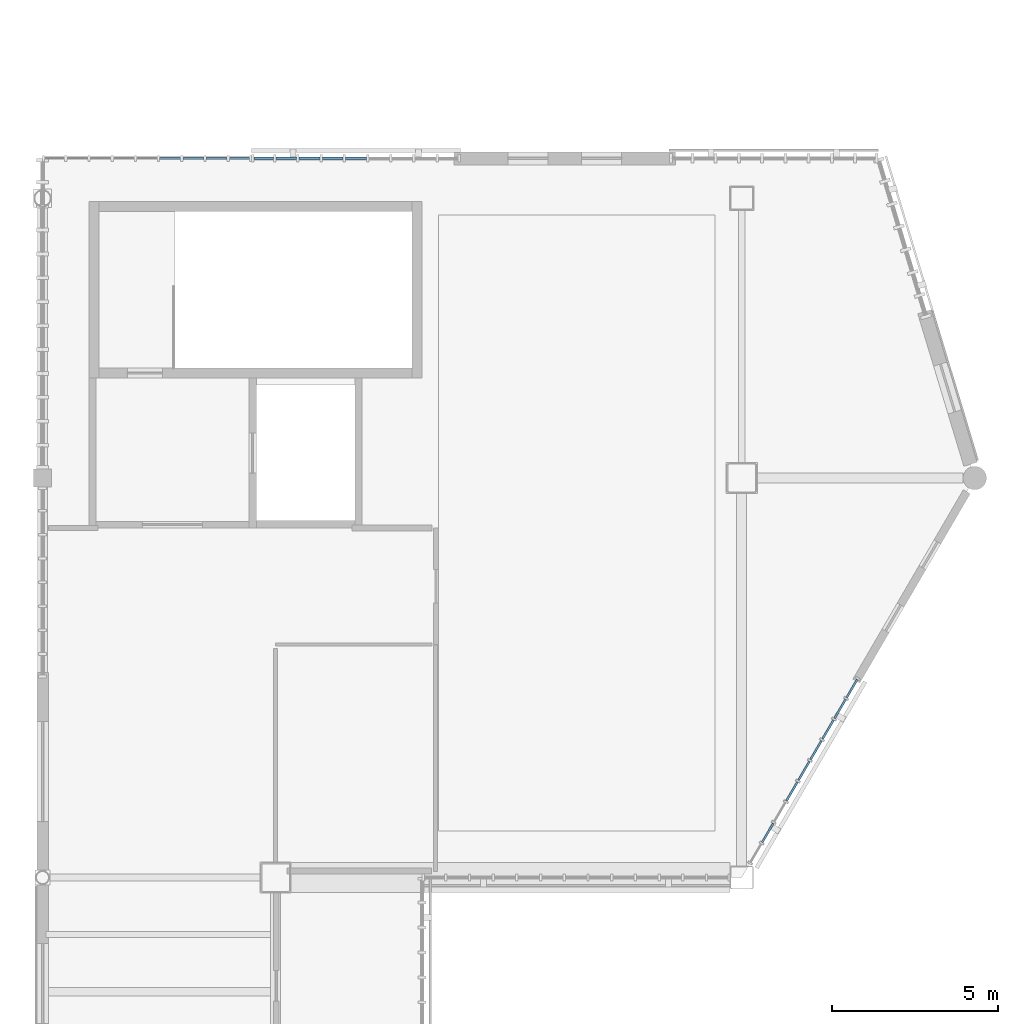
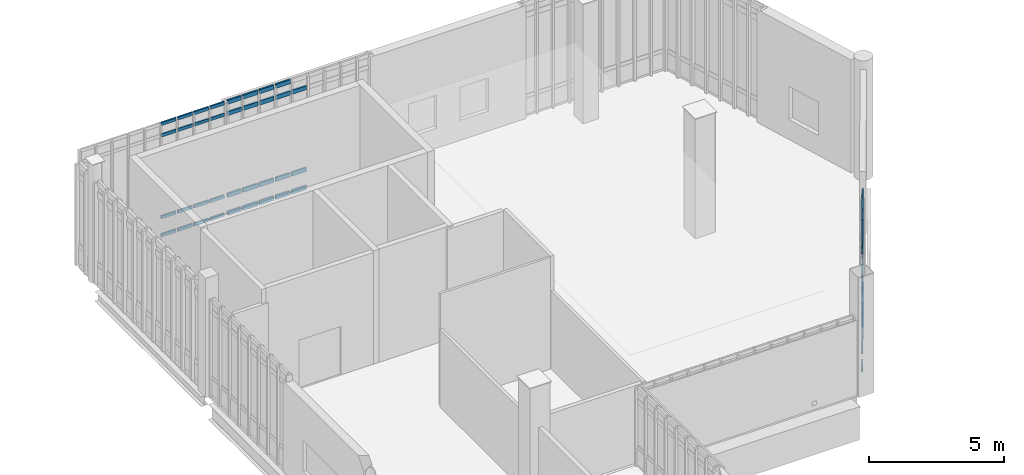
# One storey, part 68 of 135: 63 members, 3 elements without a shape of their own.
"""IFC4 building model written with IfcOpenShell, lengths in metres."""

from ifc_helpers import new_model, si_unit, direction, frame, origin, origin_2d, place, context, subcontext, project, spatial, rectangle, extrude, material, material_profile, profile_set, type_object, element, aggregate, save


model = new_model("IFC4")

# Units and contexts
model_context = context("Model", 3, precision=1e-05, world=origin(), true_north=direction((0.0, 1.0)))
body_context = subcontext(model_context, "Body", "Model", "MODEL_VIEW")
ifc_project = project(units=[si_unit("LENGTHUNIT", "METRE"), si_unit("AREAUNIT", "SQUARE_METRE"), si_unit("VOLUMEUNIT", "CUBIC_METRE"), si_unit("PLANEANGLEUNIT", "RADIAN"), si_unit("MASSUNIT", "GRAM", prefix="KILO")], contexts=[model_context])

# Site, building, storey
site_placement = place(None, origin())
site = spatial("IfcSite", under=ifc_project, at=site_placement, CompositionType="ELEMENT")
building_placement = place(site_placement, origin())
building = spatial("IfcBuilding", under=site, at=building_placement, Name="Larkvane Passage Sports Hall", CompositionType="ELEMENT")
storey_placement = place(building_placement, frame((0.0, 0.0, 16.800048828125)))
storey = spatial("IfcBuildingStorey", under=building, at=storey_placement, Name="L03", CompositionType="ELEMENT", Elevation=16.800048828125)

# Curtain wall, members
ifc_material_1 = material(Name="Thermally broken aluminium and low-E glazing", Category="aluminium")
curtain_wall_type_1 = type_object("IfcCurtainWallType", Name="CW-UNIT-COURT", PredefinedType="USERDEFINED", material=ifc_material_1)
curtain_wall_1_placement = place(storey_placement, origin())
curtain_wall_1 = element("IfcCurtainWall", 1, at=curtain_wall_1_placement, inside=storey, type_object=curtain_wall_type_1, Name="Curtain wall CW5-L03-108", ObjectType="UNITISED CURTAIN WALL", PredefinedType="USERDEFINED")
ifc_material_2 = material(Name="Anodised aluminium 6063-T6", Category="aluminium")
ifc_material_profile_1 = material_profile(ifc_material_2, rectangle(XDim=0.06005859375, YDim=0.1201171875, at=origin_2d()), Name="ALU-TRN-60x120")
ifc_profile_set_1 = profile_set([ifc_material_profile_1], Name="Anodised aluminium 6063-T6")
member_type_1 = type_object("IfcMemberType", Name="CW-TRN-60x120", PredefinedType="USERDEFINED", material=ifc_profile_set_1)
member_1_placement = place(storey_placement, frame((149.06982421875, 69.548095703125, 0.030029296875), z_axis=(-0.504184716342, -0.86359583823, 0.0), x_axis=(0.86359583823, -0.504184716342, 0.0)))
member_1 = element("IfcMember", 2, at=member_1_placement, type_object=member_type_1, Name="CW-01 transom 1.1", ObjectType="TRANSOM", PredefinedType="USERDEFINED", context=body_context, shape_type="SweptSolid", body=[
    extrude(rectangle(XDim=0.06005859375, YDim=0.1201171875, at=origin_2d()), origin(), (0.0, 0.0, 1.0), 0.62890625),
])
member_2_placement = place(storey_placement, frame((149.06982421875, 69.548095703125, 0.849853515625), z_axis=(-0.504184716342, -0.86359583823, 0.0), x_axis=(0.86359583823, -0.504184716342, 0.0)))
member_2 = element("IfcMember", 3, at=member_2_placement, type_object=member_type_1, Name="CW-01 transom 1.2", ObjectType="TRANSOM", PredefinedType="USERDEFINED", context=body_context, shape_type="SweptSolid", body=[
    extrude(rectangle(XDim=0.06005859375, YDim=0.1201171875, at=origin_2d()), origin(), (0.0, 0.0, 1.0), 0.62890625),
])
member_3_placement = place(storey_placement, frame((149.06982421875, 69.548095703125, 3.758056640625), z_axis=(-0.504184716342, -0.86359583823, 0.0), x_axis=(0.86359583823, -0.504184716342, 0.0)))
member_3 = element("IfcMember", 4, at=member_3_placement, type_object=member_type_1, Name="CW-01 transom 1.3", ObjectType="TRANSOM", PredefinedType="USERDEFINED", context=body_context, shape_type="SweptSolid", body=[
    extrude(rectangle(XDim=0.06005859375, YDim=0.1201171875, at=origin_2d()), origin(), (0.0, 0.0, 1.0), 0.62890625),
])
member_4_placement = place(storey_placement, frame((149.06982421875, 69.548095703125, 4.27783203125), z_axis=(-0.504184716342, -0.86359583823, 0.0), x_axis=(0.86359583823, -0.504184716342, 0.0)))
member_4 = element("IfcMember", 5, at=member_4_placement, type_object=member_type_1, Name="CW-01 transom 1.4", ObjectType="TRANSOM", PredefinedType="USERDEFINED", context=body_context, shape_type="SweptSolid", body=[
    extrude(rectangle(XDim=0.06005859375, YDim=0.1201171875, at=origin_2d()), origin(), (0.0, 0.0, 1.0), 0.62890625),
])
member_5_placement = place(storey_placement, frame((148.72265625, 68.952880859375, 0.030029296875), z_axis=(-0.504216505959, -0.863577278024, 0.0), x_axis=(0.863577278024, -0.504216505959, 0.0)))
member_5 = element("IfcMember", 6, at=member_5_placement, type_object=member_type_1, Name="CW-01 transom 2.1", ObjectType="TRANSOM", PredefinedType="USERDEFINED", context=body_context, shape_type="SweptSolid", body=[
    extrude(rectangle(XDim=0.06005859375, YDim=0.1201171875, at=origin_2d()), origin(), (0.0, 0.0, 1.0), 0.658935546875),
])
member_6_placement = place(storey_placement, frame((148.72265625, 68.952880859375, 0.849853515625), z_axis=(-0.504216505959, -0.863577278024, 0.0), x_axis=(0.863577278024, -0.504216505959, 0.0)))
member_6 = element("IfcMember", 7, at=member_6_placement, type_object=member_type_1, Name="CW-01 transom 2.2", ObjectType="TRANSOM", PredefinedType="USERDEFINED", context=body_context, shape_type="SweptSolid", body=[
    extrude(rectangle(XDim=0.06005859375, YDim=0.1201171875, at=origin_2d()), origin(), (0.0, 0.0, 1.0), 0.658935546875),
])
member_7_placement = place(storey_placement, frame((148.72265625, 68.952880859375, 3.758056640625), z_axis=(-0.504216505959, -0.863577278024, 0.0), x_axis=(0.863577278024, -0.504216505959, 0.0)))
member_7 = element("IfcMember", 8, at=member_7_placement, type_object=member_type_1, Name="CW-01 transom 2.3", ObjectType="TRANSOM", PredefinedType="USERDEFINED", context=body_context, shape_type="SweptSolid", body=[
    extrude(rectangle(XDim=0.06005859375, YDim=0.1201171875, at=origin_2d()), origin(), (0.0, 0.0, 1.0), 0.658935546875),
])
member_8_placement = place(storey_placement, frame((148.72265625, 68.952880859375, 4.27783203125), z_axis=(-0.504216505959, -0.863577278024, 0.0), x_axis=(0.863577278024, -0.504216505959, 0.0)))
member_8 = element("IfcMember", 9, at=member_8_placement, type_object=member_type_1, Name="CW-01 transom 2.4", ObjectType="TRANSOM", PredefinedType="USERDEFINED", context=body_context, shape_type="SweptSolid", body=[
    extrude(rectangle(XDim=0.06005859375, YDim=0.1201171875, at=origin_2d()), origin(), (0.0, 0.0, 1.0), 0.658935546875),
])
member_9_placement = place(storey_placement, frame((148.3603515625, 68.331787109375, 0.030029296875), z_axis=(-0.504216505959, -0.863577278024, 0.0), x_axis=(0.863577278024, -0.504216505959, 0.0)))
member_9 = element("IfcMember", 10, at=member_9_placement, type_object=member_type_1, Name="CW-01 transom 3.1", ObjectType="TRANSOM", PredefinedType="USERDEFINED", context=body_context, shape_type="SweptSolid", body=[
    extrude(rectangle(XDim=0.06005859375, YDim=0.1201171875, at=origin_2d()), origin(), (0.0, 0.0, 1.0), 0.658935546875),
])
member_10_placement = place(storey_placement, frame((148.3603515625, 68.331787109375, 0.849853515625), z_axis=(-0.504216505959, -0.863577278024, 0.0), x_axis=(0.863577278024, -0.504216505959, 0.0)))
member_10 = element("IfcMember", 11, at=member_10_placement, type_object=member_type_1, Name="CW-01 transom 3.2", ObjectType="TRANSOM", PredefinedType="USERDEFINED", context=body_context, shape_type="SweptSolid", body=[
    extrude(rectangle(XDim=0.06005859375, YDim=0.1201171875, at=origin_2d()), origin(), (0.0, 0.0, 1.0), 0.658935546875),
])
member_11_placement = place(storey_placement, frame((148.3603515625, 68.331787109375, 3.758056640625), z_axis=(-0.504216505959, -0.863577278024, 0.0), x_axis=(0.863577278024, -0.504216505959, 0.0)))
member_11 = element("IfcMember", 12, at=member_11_placement, type_object=member_type_1, Name="CW-01 transom 3.3", ObjectType="TRANSOM", PredefinedType="USERDEFINED", context=body_context, shape_type="SweptSolid", body=[
    extrude(rectangle(XDim=0.06005859375, YDim=0.1201171875, at=origin_2d()), origin(), (0.0, 0.0, 1.0), 0.658935546875),
])
member_12_placement = place(storey_placement, frame((148.3603515625, 68.331787109375, 4.27783203125), z_axis=(-0.504216505959, -0.863577278024, 0.0), x_axis=(0.863577278024, -0.504216505959, 0.0)))
member_12 = element("IfcMember", 13, at=member_12_placement, type_object=member_type_1, Name="CW-01 transom 3.4", ObjectType="TRANSOM", PredefinedType="USERDEFINED", context=body_context, shape_type="SweptSolid", body=[
    extrude(rectangle(XDim=0.06005859375, YDim=0.1201171875, at=origin_2d()), origin(), (0.0, 0.0, 1.0), 0.658935546875),
])
member_13_placement = place(storey_placement, frame((147.998046875, 67.710693359375, 0.030029296875), z_axis=(-0.504055232855, -0.863671420293, 0.0), x_axis=(0.863671420293, -0.504055232855, 0.0)))
member_13 = element("IfcMember", 14, at=member_13_placement, type_object=member_type_1, Name="CW-01 transom 4.1", ObjectType="TRANSOM", PredefinedType="USERDEFINED", context=body_context, shape_type="SweptSolid", body=[
    extrude(rectangle(XDim=0.06005859375, YDim=0.1201171875, at=origin_2d()), origin(), (0.0, 0.0, 1.0), 0.6591796875),
])
member_14_placement = place(storey_placement, frame((147.998046875, 67.710693359375, 0.849853515625), z_axis=(-0.504055232855, -0.863671420293, 0.0), x_axis=(0.863671420293, -0.504055232855, 0.0)))
member_14 = element("IfcMember", 15, at=member_14_placement, type_object=member_type_1, Name="CW-01 transom 4.2", ObjectType="TRANSOM", PredefinedType="USERDEFINED", context=body_context, shape_type="SweptSolid", body=[
    extrude(rectangle(XDim=0.06005859375, YDim=0.1201171875, at=origin_2d()), origin(), (0.0, 0.0, 1.0), 0.6591796875),
])
member_15_placement = place(storey_placement, frame((147.998046875, 67.710693359375, 3.758056640625), z_axis=(-0.504055232855, -0.863671420293, 0.0), x_axis=(0.863671420293, -0.504055232855, 0.0)))
member_15 = element("IfcMember", 16, at=member_15_placement, type_object=member_type_1, Name="CW-01 transom 4.3", ObjectType="TRANSOM", PredefinedType="USERDEFINED", context=body_context, shape_type="SweptSolid", body=[
    extrude(rectangle(XDim=0.06005859375, YDim=0.1201171875, at=origin_2d()), origin(), (0.0, 0.0, 1.0), 0.6591796875),
])
member_16_placement = place(storey_placement, frame((147.998046875, 67.710693359375, 4.27783203125), z_axis=(-0.504055232855, -0.863671420293, 0.0), x_axis=(0.863671420293, -0.504055232855, 0.0)))
member_16 = element("IfcMember", 17, at=member_16_placement, type_object=member_type_1, Name="CW-01 transom 4.4", ObjectType="TRANSOM", PredefinedType="USERDEFINED", context=body_context, shape_type="SweptSolid", body=[
    extrude(rectangle(XDim=0.06005859375, YDim=0.1201171875, at=origin_2d()), origin(), (0.0, 0.0, 1.0), 0.6591796875),
])
member_17_placement = place(storey_placement, frame((147.6357421875, 67.089599609375, 0.030029296875), z_axis=(-0.504055232855, -0.863671420293, 0.0), x_axis=(0.863671420293, -0.504055232855, 0.0)))
member_17 = element("IfcMember", 18, at=member_17_placement, type_object=member_type_1, Name="CW-01 transom 5.1", ObjectType="TRANSOM", PredefinedType="USERDEFINED", context=body_context, shape_type="SweptSolid", body=[
    extrude(rectangle(XDim=0.06005859375, YDim=0.1201171875, at=origin_2d()), origin(), (0.0, 0.0, 1.0), 0.6591796875),
])
member_18_placement = place(storey_placement, frame((147.6357421875, 67.089599609375, 0.849853515625), z_axis=(-0.504055232855, -0.863671420293, 0.0), x_axis=(0.863671420293, -0.504055232855, 0.0)))
member_18 = element("IfcMember", 19, at=member_18_placement, type_object=member_type_1, Name="CW-01 transom 5.2", ObjectType="TRANSOM", PredefinedType="USERDEFINED", context=body_context, shape_type="SweptSolid", body=[
    extrude(rectangle(XDim=0.06005859375, YDim=0.1201171875, at=origin_2d()), origin(), (0.0, 0.0, 1.0), 0.6591796875),
])
member_19_placement = place(storey_placement, frame((147.6357421875, 67.089599609375, 3.758056640625), z_axis=(-0.504055232855, -0.863671420293, 0.0), x_axis=(0.863671420293, -0.504055232855, 0.0)))
member_19 = element("IfcMember", 20, at=member_19_placement, type_object=member_type_1, Name="CW-01 transom 5.3", ObjectType="TRANSOM", PredefinedType="USERDEFINED", context=body_context, shape_type="SweptSolid", body=[
    extrude(rectangle(XDim=0.06005859375, YDim=0.1201171875, at=origin_2d()), origin(), (0.0, 0.0, 1.0), 0.6591796875),
])
member_20_placement = place(storey_placement, frame((147.6357421875, 67.089599609375, 4.27783203125), z_axis=(-0.504055232855, -0.863671420293, 0.0), x_axis=(0.863671420293, -0.504055232855, 0.0)))
member_20 = element("IfcMember", 21, at=member_20_placement, type_object=member_type_1, Name="CW-01 transom 5.4", ObjectType="TRANSOM", PredefinedType="USERDEFINED", context=body_context, shape_type="SweptSolid", body=[
    extrude(rectangle(XDim=0.06005859375, YDim=0.1201171875, at=origin_2d()), origin(), (0.0, 0.0, 1.0), 0.6591796875),
])
member_21_placement = place(storey_placement, frame((147.2734375, 66.468505859375, 0.030029296875), z_axis=(-0.504055232855, -0.863671420293, 0.0), x_axis=(0.863671420293, -0.504055232855, 0.0)))
member_21 = element("IfcMember", 22, at=member_21_placement, type_object=member_type_1, Name="CW-01 transom 6.1", ObjectType="TRANSOM", PredefinedType="USERDEFINED", context=body_context, shape_type="SweptSolid", body=[
    extrude(rectangle(XDim=0.06005859375, YDim=0.1201171875, at=origin_2d()), origin(), (0.0, 0.0, 1.0), 0.6591796875),
])
member_22_placement = place(storey_placement, frame((147.2734375, 66.468505859375, 0.849853515625), z_axis=(-0.504055232855, -0.863671420293, 0.0), x_axis=(0.863671420293, -0.504055232855, 0.0)))
member_22 = element("IfcMember", 23, at=member_22_placement, type_object=member_type_1, Name="CW-01 transom 6.2", ObjectType="TRANSOM", PredefinedType="USERDEFINED", context=body_context, shape_type="SweptSolid", body=[
    extrude(rectangle(XDim=0.06005859375, YDim=0.1201171875, at=origin_2d()), origin(), (0.0, 0.0, 1.0), 0.6591796875),
])
member_23_placement = place(storey_placement, frame((147.2734375, 66.468505859375, 3.758056640625), z_axis=(-0.504055232855, -0.863671420293, 0.0), x_axis=(0.863671420293, -0.504055232855, 0.0)))
member_23 = element("IfcMember", 24, at=member_23_placement, type_object=member_type_1, Name="CW-01 transom 6.3", ObjectType="TRANSOM", PredefinedType="USERDEFINED", context=body_context, shape_type="SweptSolid", body=[
    extrude(rectangle(XDim=0.06005859375, YDim=0.1201171875, at=origin_2d()), origin(), (0.0, 0.0, 1.0), 0.6591796875),
])
member_24_placement = place(storey_placement, frame((147.2734375, 66.468505859375, 4.27783203125), z_axis=(-0.504055232855, -0.863671420293, 0.0), x_axis=(0.863671420293, -0.504055232855, 0.0)))
member_24 = element("IfcMember", 25, at=member_24_placement, type_object=member_type_1, Name="CW-01 transom 6.4", ObjectType="TRANSOM", PredefinedType="USERDEFINED", context=body_context, shape_type="SweptSolid", body=[
    extrude(rectangle(XDim=0.06005859375, YDim=0.1201171875, at=origin_2d()), origin(), (0.0, 0.0, 1.0), 0.6591796875),
])
member_25_placement = place(storey_placement, frame((146.548828125, 65.226318359375, 0.030029296875), z_axis=(-0.504055232855, -0.863671420293, 0.0), x_axis=(0.863671420293, -0.504055232855, 0.0)))
member_25 = element("IfcMember", 26, at=member_25_placement, type_object=member_type_1, Name="CW-01 transom 8.1", ObjectType="TRANSOM", PredefinedType="USERDEFINED", context=body_context, shape_type="SweptSolid", body=[
    extrude(rectangle(XDim=0.06005859375, YDim=0.1201171875, at=origin_2d()), origin(), (0.0, 0.0, 1.0), 0.6591796875),
])
member_26_placement = place(storey_placement, frame((146.548828125, 65.226318359375, 0.849853515625), z_axis=(-0.504055232855, -0.863671420293, 0.0), x_axis=(0.863671420293, -0.504055232855, 0.0)))
member_26 = element("IfcMember", 27, at=member_26_placement, type_object=member_type_1, Name="CW-01 transom 8.2", ObjectType="TRANSOM", PredefinedType="USERDEFINED", context=body_context, shape_type="SweptSolid", body=[
    extrude(rectangle(XDim=0.06005859375, YDim=0.1201171875, at=origin_2d()), origin(), (0.0, 0.0, 1.0), 0.6591796875),
])
member_27_placement = place(storey_placement, frame((146.548828125, 65.226318359375, 3.758056640625), z_axis=(-0.504055232855, -0.863671420293, 0.0), x_axis=(0.863671420293, -0.504055232855, 0.0)))
member_27 = element("IfcMember", 28, at=member_27_placement, type_object=member_type_1, Name="CW-01 transom 8.3", ObjectType="TRANSOM", PredefinedType="USERDEFINED", context=body_context, shape_type="SweptSolid", body=[
    extrude(rectangle(XDim=0.06005859375, YDim=0.1201171875, at=origin_2d()), origin(), (0.0, 0.0, 1.0), 0.6591796875),
])
member_28_placement = place(storey_placement, frame((146.548828125, 65.226318359375, 4.27783203125), z_axis=(-0.504055232855, -0.863671420293, 0.0), x_axis=(0.863671420293, -0.504055232855, 0.0)))
member_28 = element("IfcMember", 29, at=member_28_placement, type_object=member_type_1, Name="CW-01 transom 8.4", ObjectType="TRANSOM", PredefinedType="USERDEFINED", context=body_context, shape_type="SweptSolid", body=[
    extrude(rectangle(XDim=0.06005859375, YDim=0.1201171875, at=origin_2d()), origin(), (0.0, 0.0, 1.0), 0.6591796875),
])
aggregate(curtain_wall_1, [member_1, member_2, member_3, member_4, member_5, member_6, member_7, member_8, member_9, member_10, member_11, member_12, member_13, member_14, member_15, member_16, member_17, member_18, member_19, member_20, member_21, member_22, member_23, member_24, member_25, member_26, member_27, member_28])

curtain_wall_2_placement = place(storey_placement, origin())
curtain_wall_2 = element("IfcCurtainWall", 30, at=curtain_wall_2_placement, inside=storey, type_object=curtain_wall_type_1, Name="Curtain wall CW5-L03-104", ObjectType="UNITISED CURTAIN WALL", PredefinedType="USERDEFINED")
ifc_material_profile_2 = material_profile(ifc_material_2, rectangle(XDim=0.06494140625, YDim=0.139892578125, at=origin_2d()), Name="ALU-TRN-65x140")
ifc_profile_set_2 = profile_set([ifc_material_profile_2], Name="Anodised aluminium 6063-T6")
member_type_2 = type_object("IfcMemberType", Name="CW-TRN-65x140", PredefinedType="USERDEFINED", material=ifc_profile_set_2)
member_29_placement = place(storey_placement, frame((128.11865234375, 85.199951171875, 0.032470703125), z_axis=(1.0, 0.0, 0.0), x_axis=(0.0, 1.0, 0.0)))
member_29 = element("IfcMember", 31, at=member_29_placement, type_object=member_type_2, Name="CW-01 transom 6.1", ObjectType="TRANSOM", PredefinedType="USERDEFINED", context=body_context, shape_type="SweptSolid", body=[
    extrude(rectangle(XDim=0.06494140625, YDim=0.139892578125, at=origin_2d()), origin(), (0.0, 0.0, 1.0), 0.632080078125),
])
member_30_placement = place(storey_placement, frame((128.11865234375, 85.199951171875, 0.849853515625), z_axis=(1.0, 0.0, 0.0), x_axis=(0.0, 1.0, 0.0)))
member_30 = element("IfcMember", 32, at=member_30_placement, type_object=member_type_2, Name="CW-01 transom 6.2", ObjectType="TRANSOM", PredefinedType="USERDEFINED", context=body_context, shape_type="SweptSolid", body=[
    extrude(rectangle(XDim=0.06494140625, YDim=0.139892578125, at=origin_2d()), origin(), (0.0, 0.0, 1.0), 0.632080078125),
])
member_31_placement = place(storey_placement, frame((128.11865234375, 85.199951171875, 4.550048828125), z_axis=(1.0, 0.0, 0.0), x_axis=(0.0, 1.0, 0.0)))
member_31 = element("IfcMember", 33, at=member_31_placement, type_object=member_type_2, Name="CW-01 transom 6.3", ObjectType="TRANSOM", PredefinedType="USERDEFINED", context=body_context, shape_type="SweptSolid", body=[
    extrude(rectangle(XDim=0.06494140625, YDim=0.139892578125, at=origin_2d()), origin(), (0.0, 0.0, 1.0), 0.632080078125),
])
member_32_placement = place(storey_placement, frame((128.11865234375, 85.199951171875, 5.0673828125), z_axis=(1.0, 0.0, 0.0), x_axis=(0.0, 1.0, 0.0)))
member_32 = element("IfcMember", 34, at=member_32_placement, type_object=member_type_2, Name="CW-01 transom 6.4", ObjectType="TRANSOM", PredefinedType="USERDEFINED", context=body_context, shape_type="SweptSolid", body=[
    extrude(rectangle(XDim=0.06494140625, YDim=0.139892578125, at=origin_2d()), origin(), (0.0, 0.0, 1.0), 0.632080078125),
])
member_33_placement = place(storey_placement, frame((128.81591796875, 85.199951171875, 0.032470703125), z_axis=(1.0, 0.0, 0.0), x_axis=(0.0, 1.0, 0.0)))
member_33 = element("IfcMember", 35, at=member_33_placement, type_object=member_type_2, Name="CW-01 transom 7.1", ObjectType="TRANSOM", PredefinedType="USERDEFINED", context=body_context, shape_type="SweptSolid", body=[
    extrude(rectangle(XDim=0.06494140625, YDim=0.139892578125, at=origin_2d()), origin(), (0.0, 0.0, 1.0), 0.632080078125),
])
member_34_placement = place(storey_placement, frame((128.81591796875, 85.199951171875, 0.849853515625), z_axis=(1.0, 0.0, 0.0), x_axis=(0.0, 1.0, 0.0)))
member_34 = element("IfcMember", 36, at=member_34_placement, type_object=member_type_2, Name="CW-01 transom 7.2", ObjectType="TRANSOM", PredefinedType="USERDEFINED", context=body_context, shape_type="SweptSolid", body=[
    extrude(rectangle(XDim=0.06494140625, YDim=0.139892578125, at=origin_2d()), origin(), (0.0, 0.0, 1.0), 0.632080078125),
])
member_35_placement = place(storey_placement, frame((128.81591796875, 85.199951171875, 4.550048828125), z_axis=(1.0, 0.0, 0.0), x_axis=(0.0, 1.0, 0.0)))
member_35 = element("IfcMember", 37, at=member_35_placement, type_object=member_type_2, Name="CW-01 transom 7.3", ObjectType="TRANSOM", PredefinedType="USERDEFINED", context=body_context, shape_type="SweptSolid", body=[
    extrude(rectangle(XDim=0.06494140625, YDim=0.139892578125, at=origin_2d()), origin(), (0.0, 0.0, 1.0), 0.632080078125),
])
member_36_placement = place(storey_placement, frame((128.81591796875, 85.199951171875, 5.0673828125), z_axis=(1.0, 0.0, 0.0), x_axis=(0.0, 1.0, 0.0)))
member_36 = element("IfcMember", 38, at=member_36_placement, type_object=member_type_2, Name="CW-01 transom 7.4", ObjectType="TRANSOM", PredefinedType="USERDEFINED", context=body_context, shape_type="SweptSolid", body=[
    extrude(rectangle(XDim=0.06494140625, YDim=0.139892578125, at=origin_2d()), origin(), (0.0, 0.0, 1.0), 0.632080078125),
])
member_37_placement = place(storey_placement, frame((129.512939453125, 85.199951171875, 0.032470703125), z_axis=(1.0, 0.0, 0.0), x_axis=(0.0, 1.0, 0.0)))
member_37 = element("IfcMember", 39, at=member_37_placement, type_object=member_type_2, Name="CW-01 transom 8.1", ObjectType="TRANSOM", PredefinedType="USERDEFINED", context=body_context, shape_type="SweptSolid", body=[
    extrude(rectangle(XDim=0.06494140625, YDim=0.139892578125, at=origin_2d()), origin(), (0.0, 0.0, 1.0), 0.63232421875),
])
member_38_placement = place(storey_placement, frame((129.512939453125, 85.199951171875, 0.849853515625), z_axis=(1.0, 0.0, 0.0), x_axis=(0.0, 1.0, 0.0)))
member_38 = element("IfcMember", 40, at=member_38_placement, type_object=member_type_2, Name="CW-01 transom 8.2", ObjectType="TRANSOM", PredefinedType="USERDEFINED", context=body_context, shape_type="SweptSolid", body=[
    extrude(rectangle(XDim=0.06494140625, YDim=0.139892578125, at=origin_2d()), origin(), (0.0, 0.0, 1.0), 0.63232421875),
])
member_39_placement = place(storey_placement, frame((129.512939453125, 85.199951171875, 4.550048828125), z_axis=(1.0, 0.0, 0.0), x_axis=(0.0, 1.0, 0.0)))
member_39 = element("IfcMember", 41, at=member_39_placement, type_object=member_type_2, Name="CW-01 transom 8.3", ObjectType="TRANSOM", PredefinedType="USERDEFINED", context=body_context, shape_type="SweptSolid", body=[
    extrude(rectangle(XDim=0.06494140625, YDim=0.139892578125, at=origin_2d()), origin(), (0.0, 0.0, 1.0), 0.63232421875),
])
member_40_placement = place(storey_placement, frame((129.512939453125, 85.199951171875, 5.0673828125), z_axis=(1.0, 0.0, 0.0), x_axis=(0.0, 1.0, 0.0)))
member_40 = element("IfcMember", 42, at=member_40_placement, type_object=member_type_2, Name="CW-01 transom 8.4", ObjectType="TRANSOM", PredefinedType="USERDEFINED", context=body_context, shape_type="SweptSolid", body=[
    extrude(rectangle(XDim=0.06494140625, YDim=0.139892578125, at=origin_2d()), origin(), (0.0, 0.0, 1.0), 0.63232421875),
])
member_41_placement = place(storey_placement, frame((130.210205078125, 85.199951171875, 0.032470703125), z_axis=(1.0, 0.0, 0.0), x_axis=(0.0, 1.0, 0.0)))
member_41 = element("IfcMember", 43, at=member_41_placement, type_object=member_type_2, Name="CW-01 transom 9.1", ObjectType="TRANSOM", PredefinedType="USERDEFINED", context=body_context, shape_type="SweptSolid", body=[
    extrude(rectangle(XDim=0.06494140625, YDim=0.139892578125, at=origin_2d()), origin(), (0.0, 0.0, 1.0), 0.599853515625),
])
member_42_placement = place(storey_placement, frame((130.210205078125, 85.199951171875, 0.849853515625), z_axis=(1.0, 0.0, 0.0), x_axis=(0.0, 1.0, 0.0)))
member_42 = element("IfcMember", 44, at=member_42_placement, type_object=member_type_2, Name="CW-01 transom 9.2", ObjectType="TRANSOM", PredefinedType="USERDEFINED", context=body_context, shape_type="SweptSolid", body=[
    extrude(rectangle(XDim=0.06494140625, YDim=0.139892578125, at=origin_2d()), origin(), (0.0, 0.0, 1.0), 0.599853515625),
])
member_43_placement = place(storey_placement, frame((130.210205078125, 85.199951171875, 4.550048828125), z_axis=(1.0, 0.0, 0.0), x_axis=(0.0, 1.0, 0.0)))
member_43 = element("IfcMember", 45, at=member_43_placement, type_object=member_type_2, Name="CW-01 transom 9.3", ObjectType="TRANSOM", PredefinedType="USERDEFINED", context=body_context, shape_type="SweptSolid", body=[
    extrude(rectangle(XDim=0.06494140625, YDim=0.139892578125, at=origin_2d()), origin(), (0.0, 0.0, 1.0), 0.599853515625),
])
member_44_placement = place(storey_placement, frame((130.210205078125, 85.199951171875, 5.0673828125), z_axis=(1.0, 0.0, 0.0), x_axis=(0.0, 1.0, 0.0)))
member_44 = element("IfcMember", 46, at=member_44_placement, type_object=member_type_2, Name="CW-01 transom 9.4", ObjectType="TRANSOM", PredefinedType="USERDEFINED", context=body_context, shape_type="SweptSolid", body=[
    extrude(rectangle(XDim=0.06494140625, YDim=0.139892578125, at=origin_2d()), origin(), (0.0, 0.0, 1.0), 0.599853515625),
])
aggregate(curtain_wall_2, [member_29, member_30, member_31, member_32, member_33, member_34, member_35, member_36, member_37, member_38, member_39, member_40, member_41, member_42, member_43, member_44])

curtain_wall_type_2 = type_object("IfcCurtainWallType", Name="CW-UNIT-VEIL", PredefinedType="USERDEFINED", material=ifc_material_1)
curtain_wall_3_placement = place(storey_placement, origin())
curtain_wall_3 = element("IfcCurtainWall", 47, at=curtain_wall_3_placement, inside=storey, type_object=curtain_wall_type_2, Name="Curtain wall CW5-L03-105", ObjectType="UNITISED CURTAIN WALL", PredefinedType="USERDEFINED")
ifc_material_profile_3 = material_profile(ifc_material_2, rectangle(XDim=0.074951171875, YDim=0.18505859375, at=origin_2d()), Name="ALU-TRN-75x185")
ifc_profile_set_3 = profile_set([ifc_material_profile_3], Name="Anodised aluminium 6063-T6")
member_type_3 = type_object("IfcMemberType", Name="CW-TRN-75x185", PredefinedType="USERDEFINED", material=ifc_profile_set_3)
member_45_placement = place(storey_placement, frame((130.949951171875, 85.199951171875, 0.037353515625), z_axis=(1.0, 0.0, 0.0), x_axis=(0.0, 1.0, 0.0)))
member_45 = element("IfcMember", 48, at=member_45_placement, type_object=member_type_3, Name="CW-02 transom 1.1", ObjectType="TRANSOM", PredefinedType="USERDEFINED", context=body_context, shape_type="SweptSolid", body=[
    extrude(rectangle(XDim=0.074951171875, YDim=0.18505859375, at=origin_2d()), origin(), (0.0, 0.0, 1.0), 0.584716796875),
])
member_46_placement = place(storey_placement, frame((130.949951171875, 85.199951171875, 0.849853515625), z_axis=(1.0, 0.0, 0.0), x_axis=(0.0, 1.0, 0.0)))
member_46 = element("IfcMember", 49, at=member_46_placement, type_object=member_type_3, Name="CW-02 transom 1.2", ObjectType="TRANSOM", PredefinedType="USERDEFINED", context=body_context, shape_type="SweptSolid", body=[
    extrude(rectangle(XDim=0.074951171875, YDim=0.18505859375, at=origin_2d()), origin(), (0.0, 0.0, 1.0), 0.584716796875),
])
member_47_placement = place(storey_placement, frame((130.949951171875, 85.199951171875, 4.550048828125), z_axis=(1.0, 0.0, 0.0), x_axis=(0.0, 1.0, 0.0)))
member_47 = element("IfcMember", 50, at=member_47_placement, type_object=member_type_3, Name="CW-02 transom 1.3", ObjectType="TRANSOM", PredefinedType="USERDEFINED", context=body_context, shape_type="SweptSolid", body=[
    extrude(rectangle(XDim=0.074951171875, YDim=0.18505859375, at=origin_2d()), origin(), (0.0, 0.0, 1.0), 0.584716796875),
])
member_48_placement = place(storey_placement, frame((130.949951171875, 85.199951171875, 5.0625), z_axis=(1.0, 0.0, 0.0), x_axis=(0.0, 1.0, 0.0)))
member_48 = element("IfcMember", 51, at=member_48_placement, type_object=member_type_3, Name="CW-02 transom 1.4", ObjectType="TRANSOM", PredefinedType="USERDEFINED", context=body_context, shape_type="SweptSolid", body=[
    extrude(rectangle(XDim=0.074951171875, YDim=0.18505859375, at=origin_2d()), origin(), (0.0, 0.0, 1.0), 0.584716796875),
])
member_49_placement = place(storey_placement, frame((131.609619140625, 85.199951171875, 0.037353515625), z_axis=(1.0, 0.0, 0.0), x_axis=(0.0, 1.0, 0.0)))
member_49 = element("IfcMember", 52, at=member_49_placement, type_object=member_type_3, Name="CW-02 transom 2.1", ObjectType="TRANSOM", PredefinedType="USERDEFINED", context=body_context, shape_type="SweptSolid", body=[
    extrude(rectangle(XDim=0.074951171875, YDim=0.18505859375, at=origin_2d()), origin(), (0.0, 0.0, 1.0), 0.622314453125),
])
member_50_placement = place(storey_placement, frame((131.609619140625, 85.199951171875, 0.849853515625), z_axis=(1.0, 0.0, 0.0), x_axis=(0.0, 1.0, 0.0)))
member_50 = element("IfcMember", 53, at=member_50_placement, type_object=member_type_3, Name="CW-02 transom 2.2", ObjectType="TRANSOM", PredefinedType="USERDEFINED", context=body_context, shape_type="SweptSolid", body=[
    extrude(rectangle(XDim=0.074951171875, YDim=0.18505859375, at=origin_2d()), origin(), (0.0, 0.0, 1.0), 0.622314453125),
])
member_51_placement = place(storey_placement, frame((131.609619140625, 85.199951171875, 4.550048828125), z_axis=(1.0, 0.0, 0.0), x_axis=(0.0, 1.0, 0.0)))
member_51 = element("IfcMember", 54, at=member_51_placement, type_object=member_type_3, Name="CW-02 transom 2.3", ObjectType="TRANSOM", PredefinedType="USERDEFINED", context=body_context, shape_type="SweptSolid", body=[
    extrude(rectangle(XDim=0.074951171875, YDim=0.18505859375, at=origin_2d()), origin(), (0.0, 0.0, 1.0), 0.622314453125),
])
member_52_placement = place(storey_placement, frame((131.609619140625, 85.199951171875, 5.0625), z_axis=(1.0, 0.0, 0.0), x_axis=(0.0, 1.0, 0.0)))
member_52 = element("IfcMember", 55, at=member_52_placement, type_object=member_type_3, Name="CW-02 transom 2.4", ObjectType="TRANSOM", PredefinedType="USERDEFINED", context=body_context, shape_type="SweptSolid", body=[
    extrude(rectangle(XDim=0.074951171875, YDim=0.18505859375, at=origin_2d()), origin(), (0.0, 0.0, 1.0), 0.622314453125),
])
member_53_placement = place(storey_placement, frame((132.306884765625, 85.199951171875, 0.037353515625), z_axis=(1.0, 0.0, 0.0), x_axis=(0.0, 1.0, 0.0)))
member_53 = element("IfcMember", 56, at=member_53_placement, type_object=member_type_3, Name="CW-02 transom 3.1", ObjectType="TRANSOM", PredefinedType="USERDEFINED", context=body_context, shape_type="SweptSolid", body=[
    extrude(rectangle(XDim=0.074951171875, YDim=0.18505859375, at=origin_2d()), origin(), (0.0, 0.0, 1.0), 0.622314453125),
])
member_54_placement = place(storey_placement, frame((132.306884765625, 85.199951171875, 0.849853515625), z_axis=(1.0, 0.0, 0.0), x_axis=(0.0, 1.0, 0.0)))
member_54 = element("IfcMember", 57, at=member_54_placement, type_object=member_type_3, Name="CW-02 transom 3.2", ObjectType="TRANSOM", PredefinedType="USERDEFINED", context=body_context, shape_type="SweptSolid", body=[
    extrude(rectangle(XDim=0.074951171875, YDim=0.18505859375, at=origin_2d()), origin(), (0.0, 0.0, 1.0), 0.622314453125),
])
member_55_placement = place(storey_placement, frame((132.306884765625, 85.199951171875, 4.550048828125), z_axis=(1.0, 0.0, 0.0), x_axis=(0.0, 1.0, 0.0)))
member_55 = element("IfcMember", 58, at=member_55_placement, type_object=member_type_3, Name="CW-02 transom 3.3", ObjectType="TRANSOM", PredefinedType="USERDEFINED", context=body_context, shape_type="SweptSolid", body=[
    extrude(rectangle(XDim=0.074951171875, YDim=0.18505859375, at=origin_2d()), origin(), (0.0, 0.0, 1.0), 0.622314453125),
])
member_56_placement = place(storey_placement, frame((132.306884765625, 85.199951171875, 5.0625), z_axis=(1.0, 0.0, 0.0), x_axis=(0.0, 1.0, 0.0)))
member_56 = element("IfcMember", 59, at=member_56_placement, type_object=member_type_3, Name="CW-02 transom 3.4", ObjectType="TRANSOM", PredefinedType="USERDEFINED", context=body_context, shape_type="SweptSolid", body=[
    extrude(rectangle(XDim=0.074951171875, YDim=0.18505859375, at=origin_2d()), origin(), (0.0, 0.0, 1.0), 0.622314453125),
])
member_57_placement = place(storey_placement, frame((133.004150390625, 85.199951171875, 0.037353515625), z_axis=(1.0, 0.0, 0.0), x_axis=(0.0, 1.0, 0.0)))
member_57 = element("IfcMember", 60, at=member_57_placement, type_object=member_type_3, Name="CW-02 transom 4.1", ObjectType="TRANSOM", PredefinedType="USERDEFINED", context=body_context, shape_type="SweptSolid", body=[
    extrude(rectangle(XDim=0.074951171875, YDim=0.18505859375, at=origin_2d()), origin(), (0.0, 0.0, 1.0), 0.622314453125),
])
member_58_placement = place(storey_placement, frame((133.004150390625, 85.199951171875, 0.849853515625), z_axis=(1.0, 0.0, 0.0), x_axis=(0.0, 1.0, 0.0)))
member_58 = element("IfcMember", 61, at=member_58_placement, type_object=member_type_3, Name="CW-02 transom 4.2", ObjectType="TRANSOM", PredefinedType="USERDEFINED", context=body_context, shape_type="SweptSolid", body=[
    extrude(rectangle(XDim=0.074951171875, YDim=0.18505859375, at=origin_2d()), origin(), (0.0, 0.0, 1.0), 0.622314453125),
])
member_59_placement = place(storey_placement, frame((133.004150390625, 85.199951171875, 4.550048828125), z_axis=(1.0, 0.0, 0.0), x_axis=(0.0, 1.0, 0.0)))
member_59 = element("IfcMember", 62, at=member_59_placement, type_object=member_type_3, Name="CW-02 transom 4.3", ObjectType="TRANSOM", PredefinedType="USERDEFINED", context=body_context, shape_type="SweptSolid", body=[
    extrude(rectangle(XDim=0.074951171875, YDim=0.18505859375, at=origin_2d()), origin(), (0.0, 0.0, 1.0), 0.622314453125),
])
member_60_placement = place(storey_placement, frame((133.004150390625, 85.199951171875, 5.0625), z_axis=(1.0, 0.0, 0.0), x_axis=(0.0, 1.0, 0.0)))
member_60 = element("IfcMember", 63, at=member_60_placement, type_object=member_type_3, Name="CW-02 transom 4.4", ObjectType="TRANSOM", PredefinedType="USERDEFINED", context=body_context, shape_type="SweptSolid", body=[
    extrude(rectangle(XDim=0.074951171875, YDim=0.18505859375, at=origin_2d()), origin(), (0.0, 0.0, 1.0), 0.622314453125),
])
member_61_placement = place(storey_placement, frame((133.701416015625, 85.199951171875, 0.037353515625), z_axis=(1.0, 0.0, 0.0), x_axis=(0.0, 1.0, 0.0)))
member_61 = element("IfcMember", 64, at=member_61_placement, type_object=member_type_3, Name="CW-02 transom 5.1", ObjectType="TRANSOM", PredefinedType="USERDEFINED", context=body_context, shape_type="SweptSolid", body=[
    extrude(rectangle(XDim=0.074951171875, YDim=0.18505859375, at=origin_2d()), origin(), (0.0, 0.0, 1.0), 0.622314453125),
])
member_62_placement = place(storey_placement, frame((133.701416015625, 85.199951171875, 0.849853515625), z_axis=(1.0, 0.0, 0.0), x_axis=(0.0, 1.0, 0.0)))
member_62 = element("IfcMember", 65, at=member_62_placement, type_object=member_type_3, Name="CW-02 transom 5.2", ObjectType="TRANSOM", PredefinedType="USERDEFINED", context=body_context, shape_type="SweptSolid", body=[
    extrude(rectangle(XDim=0.074951171875, YDim=0.18505859375, at=origin_2d()), origin(), (0.0, 0.0, 1.0), 0.622314453125),
])
member_63_placement = place(storey_placement, frame((133.701416015625, 85.199951171875, 4.550048828125), z_axis=(1.0, 0.0, 0.0), x_axis=(0.0, 1.0, 0.0)))
member_63 = element("IfcMember", 66, at=member_63_placement, type_object=member_type_3, Name="CW-02 transom 5.3", ObjectType="TRANSOM", PredefinedType="USERDEFINED", context=body_context, shape_type="SweptSolid", body=[
    extrude(rectangle(XDim=0.074951171875, YDim=0.18505859375, at=origin_2d()), origin(), (0.0, 0.0, 1.0), 0.622314453125),
])
aggregate(curtain_wall_3, [member_45, member_46, member_47, member_48, member_49, member_50, member_51, member_52, member_53, member_54, member_55, member_56, member_57, member_58, member_59, member_60, member_61, member_62, member_63])

save(model, "model.ifc")
